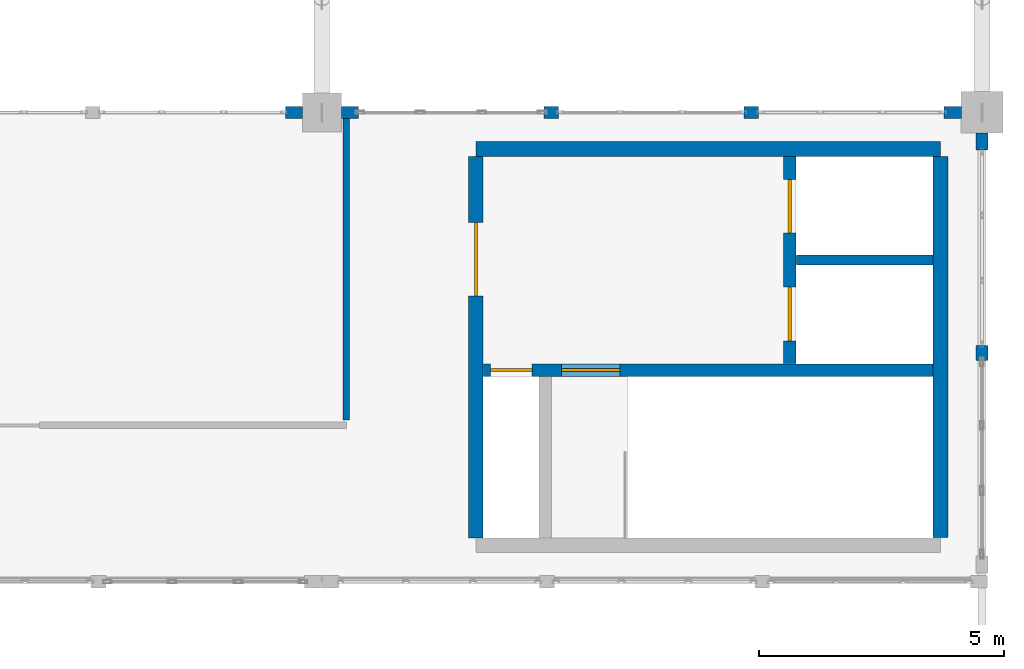
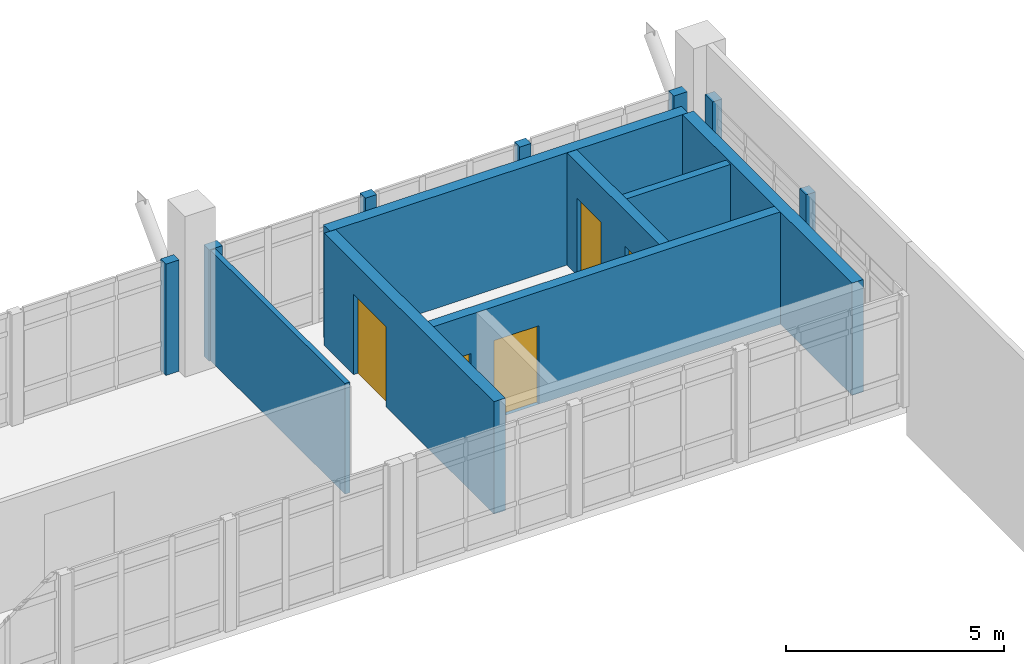
# One storey, part 36 of 37: 14 walls, 5 doors, 5 openings.
"""IFC4 building model written with IfcOpenShell, lengths in metres."""

import ifcopenshell
import ifcopenshell.guid

model = None  # the IFC model being written
_history = None  # IfcOwnerHistory: only IFC2X3 demands one
_inside = {}  # id of a spatial element -> (the spatial element, [elements in it])
_under = {}  # id of a project, library or spatial element -> (it, [spatial elements below it])
_declared = {}  # id of a project -> (the project, [libraries it declares])
_typed = {}  # id of a type object -> (the type object, [elements of that type])
_made_of = {}  # id of a material, layer set ... -> (it, [elements and type objects made of it])


def new_model(schema):
    """Start an empty IFC model of exactly this schema.

    Asked for "IFC4X3", IfcOpenShell would pick the latest addendum, in which some entities
    have other attributes; the version numbers below select the first issue.
    IFC2X3 requires an IfcOwnerHistory on every rooted entity: one is made here for all.
    """
    global model, _history
    if schema == "IFC4X3":
        model = ifcopenshell.file(schema_version=(4, 3, 0, 0))
    else:
        model = ifcopenshell.file(schema=schema)
    _inside.clear()
    _under.clear()
    _declared.clear()
    _typed.clear()
    _made_of.clear()
    _history = None
    if model.schema == "IFC2X3":
        org = make("IfcOrganization", Name="unknown")
        user = make(
            "IfcPersonAndOrganization",
            ThePerson=make("IfcPerson", FamilyName="unknown"),
            TheOrganization=org,
        )
        app = make(
            "IfcApplication",
            ApplicationDeveloper=org,
            Version="unknown",
            ApplicationFullName="unknown",
            ApplicationIdentifier="unknown",
        )
        _history = make(
            "IfcOwnerHistory",
            OwningUser=user,
            OwningApplication=app,
            ChangeAction="ADDED",
            CreationDate=0,
        )
    return model


def make(cls, **values):
    """One entity of the class cls with the attributes given. An attribute that is None is left unset."""
    return model.create_entity(
        cls, **{name: value for name, value in values.items() if value is not None}
    )


def rooted(cls, **values):
    """An entity with a GlobalId (a new one), such as an element, a storey or a relation."""
    return make(cls, GlobalId=ifcopenshell.guid.new(), OwnerHistory=_history, **values)


def si_unit(unit_type, name, prefix=None):
    """IfcSIUnit, for example si_unit("LENGTHUNIT", "METRE", prefix="MILLI")."""
    return make("IfcSIUnit", UnitType=unit_type, Prefix=prefix, Name=name)


def assignment(units):
    """IfcUnitAssignment: the units of a project."""
    return None if units is None else make("IfcUnitAssignment", Units=units)


def point(xyz):
    """IfcCartesianPoint."""
    return None if xyz is None else make("IfcCartesianPoint", Coordinates=xyz)


def direction(xyz):
    """IfcDirection."""
    return None if xyz is None else make("IfcDirection", DirectionRatios=xyz)


def frame(location, z_axis=None, x_axis=None):
    """IfcAxis2Placement3D, a coordinate frame: its origin and axes. An axis left out is left unset."""
    return make(
        "IfcAxis2Placement3D",
        Location=point(location),
        Axis=direction(z_axis),
        RefDirection=direction(x_axis),
    )


def frame_2d(location, x_axis=None):
    """IfcAxis2Placement2D, a coordinate frame in the plane: its origin and x axis."""
    return make(
        "IfcAxis2Placement2D", Location=point(location), RefDirection=direction(x_axis)
    )


def origin():
    """The frame at (0, 0, 0) with its axes left unset."""
    return frame((0.0, 0.0, 0.0))


def place(relative_to, where):
    """IfcLocalPlacement: puts the frame where relative to a parent placement (None: the world)."""
    return make(
        "IfcLocalPlacement", PlacementRelTo=relative_to, RelativePlacement=where
    )


def context(
    kind, dimensions, precision=None, world=None, true_north=None, identifier=None
):
    """IfcGeometricRepresentationContext, for example the 3D "Model" context."""
    return make(
        "IfcGeometricRepresentationContext",
        ContextIdentifier=identifier,
        ContextType=kind,
        CoordinateSpaceDimension=dimensions,
        Precision=precision,
        WorldCoordinateSystem=world,
        TrueNorth=true_north,
    )


def subcontext(parent, identifier, kind, view, scale=None):
    """IfcGeometricRepresentationSubContext, for example "Body" below "Model"."""
    return make(
        "IfcGeometricRepresentationSubContext",
        ContextIdentifier=identifier,
        ContextType=kind,
        ParentContext=parent,
        TargetScale=scale,
        TargetView=view,
    )


def project(units=None, contexts=None):
    """IfcProject with its units and contexts."""
    return rooted(
        "IfcProject",
        Name="project",
        RepresentationContexts=contexts,
        UnitsInContext=assignment(units),
    )


def spatial(cls, under=None, at=None, **own):
    """A site, building, storey or space (cls), placed at a placement, below another one or the project."""
    s = rooted(cls, ObjectPlacement=at, **own)
    if under is not None:
        _under.setdefault(under.id(), (under, []))[1].append(s)
    return s


def profile(cls, at=None, kind="AREA", **sizes):
    """A parametric profile (cls). Its sizes go by their IFC names, for example OverallWidth=200.0."""
    return make(cls, ProfileType=kind, Position=at, **sizes)


def rectangle(**sizes):
    """IfcRectangleProfileDef."""
    return profile("IfcRectangleProfileDef", **sizes)


def extrude(swept, where, along, depth):
    """IfcExtrudedAreaSolid: the profile swept, set in the frame where, extruded along a direction by depth."""
    return make(
        "IfcExtrudedAreaSolid",
        SweptArea=swept,
        Position=where,
        ExtrudedDirection=direction(along),
        Depth=depth,
    )


def shape(context_of_items, identifier, shape_type, items):
    """IfcShapeRepresentation: the items that make up one representation, for example the "Body"."""
    return make(
        "IfcShapeRepresentation",
        ContextOfItems=context_of_items,
        RepresentationIdentifier=identifier,
        RepresentationType=shape_type,
        Items=items,
    )


def material(Name=None, Category=None):
    """IfcMaterial."""
    return make("IfcMaterial", Name=Name, Category=Category)


def layer(
    of_material, thickness, ventilated=None, Name=None, Category=None, Priority=None
):
    """IfcMaterialLayer: one layer of a wall or slab, of a material (None: an air gap)."""
    return make(
        "IfcMaterialLayer",
        Material=of_material,
        LayerThickness=thickness,
        IsVentilated=ventilated,
        Name=Name,
        Category=Category,
        Priority=Priority,
    )


def layer_set(layers, Name=None):
    """IfcMaterialLayerSet."""
    return make("IfcMaterialLayerSet", MaterialLayers=layers, LayerSetName=Name)


def made_of(thing, what):
    """Note that an element or type object is made of a material, layer set ...; save() writes the relation."""
    if what is not None:
        _made_of.setdefault(what.id(), (what, []))[1].append(thing)
    return thing


def type_object(cls, material=None, **own):
    """A type object (cls), such as IfcWallType, which elements share."""
    return made_of(rooted(cls, **own), material)


def element(
    cls,
    number,
    at=None,
    inside=None,
    cuts=None,
    type_object=None,
    material=None,
    context=None,
    identifier="Body",
    shape_type=None,
    held_by="IfcProductDefinitionShape",
    body=None,
    shapes=None,
    **own,
):
    """One element of the class cls, such as IfcWall. Its Tag is "e" and its number.

    at: its placement. inside: the storey or other place that contains it. cuts: it is an
    opening in that element (IfcRelVoidsElement). A single representation is given by context,
    identifier, shape_type and body (its items); several are given by shapes. held_by: the class
    of the entity that holds the representations. save() writes the other relations.
    """
    e = rooted(cls, Tag="e%d" % number, ObjectPlacement=at, **own)
    if body is not None:
        shapes = [shape(context, identifier, shape_type, body)]
    if shapes is not None:
        e.Representation = make(held_by, Representations=shapes)
    if inside is not None:
        _inside.setdefault(inside.id(), (inside, []))[1].append(e)
    if cuts is not None:
        rooted(
            "IfcRelVoidsElement", RelatingBuildingElement=cuts, RelatedOpeningElement=e
        )
    if type_object is not None:
        _typed.setdefault(type_object.id(), (type_object, []))[1].append(e)
    return made_of(e, material)


def fill(opening, filler):
    """IfcRelFillsElement: the door or window that sits in an opening."""
    return rooted(
        "IfcRelFillsElement",
        RelatingOpeningElement=opening,
        RelatedBuildingElement=filler,
    )


def aggregate(whole, parts):
    """IfcRelAggregates: a whole, such as a stair, and the parts it consists of."""
    return rooted("IfcRelAggregates", RelatingObject=whole, RelatedObjects=parts)


def save(model, path):
    """Write the relations noted so far, then the file.

    IfcRelAggregates (storeys below a building ...), IfcRelContainedInSpatialStructure (elements
    in a storey), IfcRelDefinesByType, IfcRelAssociatesMaterial and IfcRelDeclares: one each for
    every whole, place, type object, material and project.
    """
    for whole, parts in _under.values():
        aggregate(whole, parts)
    for where, things in _inside.values():
        rooted(
            "IfcRelContainedInSpatialStructure",
            RelatedElements=things,
            RelatingStructure=where,
        )
    for kind, things in _typed.values():
        rooted("IfcRelDefinesByType", RelatedObjects=things, RelatingType=kind)
    for what, things in _made_of.values():
        rooted("IfcRelAssociatesMaterial", RelatedObjects=things, RelatingMaterial=what)
    for by, libraries in _declared.values():
        rooted("IfcRelDeclares", RelatingContext=by, RelatedDefinitions=libraries)
    model.write(path)


model = new_model("IFC4")

# Units and contexts
model_context = context("Model", 3, precision=1e-05, world=origin(), true_north=direction((0.0, 1.0)))
body_context = subcontext(model_context, "Body", "Model", "MODEL_VIEW")
ifc_project = project(units=[si_unit("LENGTHUNIT", "METRE"), si_unit("AREAUNIT", "SQUARE_METRE"), si_unit("VOLUMEUNIT", "CUBIC_METRE"), si_unit("PLANEANGLEUNIT", "RADIAN"), si_unit("MASSUNIT", "GRAM", prefix="KILO")], contexts=[model_context])

# Site, building, storey
site_placement = place(None, origin())
site = spatial("IfcSite", under=ifc_project, at=site_placement, CompositionType="ELEMENT")
building_placement = place(site_placement, origin())
building = spatial("IfcBuilding", under=site, at=building_placement, Name="Fikremerkos Civic Library", CompositionType="ELEMENT")
storey_placement = place(building_placement, frame((0.0, 0.0, 23.39990234375)))
storey = spatial("IfcBuildingStorey", under=building, at=storey_placement, Name="L05", CompositionType="ELEMENT", Elevation=23.39990234375)

# Wall
ifc_material_1 = material(Name="Concrete C40/50", Category="concrete")
ifc_layer_1 = layer(ifc_material_1, 0.300048828125, Name="Concrete C40/50")
ifc_layer_set_1 = layer_set([ifc_layer_1], Name="Concrete C40/50")
wall_type_1 = type_object("IfcWallType", Name="Core shear wall CSW-01 300", PredefinedType="SHEAR", material=ifc_layer_set_1)
wall_1_placement = place(storey_placement, frame((103.35009765625, 30.449951171875, 0.0), z_axis=(0.0, 0.0, 1.0), x_axis=(1.0, 0.0, 0.0)))
element("IfcWall", 1, at=wall_1_placement, inside=storey, type_object=wall_type_1, Name="Core K2 north shear wall L05", PredefinedType="SHEAR", context=body_context, shape_type="SweptSolid", body=[
    extrude(rectangle(XDim=9.5, YDim=0.300048828125, at=frame_2d((4.75, 0.0))), origin(), (0.0, 0.0, 1.0), 3.150146484375),
])

# Wall, opening, door
wall_2_placement = place(storey_placement, frame((103.35009765625, 22.501953125, 0.0), z_axis=(0.0, 0.0, 1.0), x_axis=(0.0, 1.0, 0.0)))
wall_2 = element("IfcWall", 2, at=wall_2_placement, inside=storey, type_object=wall_type_1, Name="Core K2 west shear wall L05", PredefinedType="SHEAR", context=body_context, shape_type="SweptSolid", body=[
    extrude(rectangle(XDim=7.796142578125, YDim=0.300048828125, at=frame_2d((3.89794921875, 0.0))), origin(), (0.0, 0.0, 1.0), 3.150146484375),
])
opening_1_placement = place(wall_2_placement, frame((4.947998046875, 0.0, 0.0)))
opening_1 = element("IfcOpeningElement", 3, at=opening_1_placement, cuts=wall_2, Name="Opening D074", PredefinedType="OPENING", context=body_context, shape_type="SweptSolid", body=[
    extrude(rectangle(XDim=1.5, YDim=2.25, at=frame_2d((0.75, 1.125))), frame((0.0, 0.159912109375, 0.0), z_axis=(0.0, -1.0, 0.0), x_axis=(1.0, 0.0, 0.0)), (0.0, 0.0, 1.0), 0.320068359375),
])
ifc_material_2 = material(Name="Hardwood timber and acoustic glass", Category="wood")
door_type_1 = type_object("IfcDoorType", Name="Pedestrian door DT-05 1500x2250", OperationType="NOTDEFINED", PredefinedType="DOOR", material=ifc_material_2)
door_1_placement = place(opening_1_placement, origin())
door_1 = element("IfcDoor", 4, at=door_1_placement, inside=storey, type_object=door_type_1, Name="Core K2 lobby fire door D074 L05", OperationType="SINGLE_SWING_RIGHT", OverallHeight=2.25, OverallWidth=1.5, PredefinedType="DOOR", context=body_context, shape_type="SweptSolid", body=[
    extrude(rectangle(XDim=1.5, YDim=2.25, at=frame_2d((0.75, 1.125))), frame((0.0, 0.032470703125, 0.0), z_axis=(0.0, -1.0, 0.0), x_axis=(1.0, 0.0, 0.0)), (0.0, 0.0, 1.0), 0.06494140625),
])
fill(opening_1, door_1)

# Wall
wall_3_placement = place(storey_placement, frame((112.85009765625, 30.298095703125, 0.0), z_axis=(0.0, 0.0, 1.0), x_axis=(0.0, -1.0, 0.0)))
element("IfcWall", 5, at=wall_3_placement, inside=storey, type_object=wall_type_1, Name="Core K2 east shear wall L05", PredefinedType="SHEAR", context=body_context, shape_type="SweptSolid", body=[
    extrude(rectangle(XDim=7.796142578125, YDim=0.300048828125, at=frame_2d((3.89794921875, 0.0))), origin(), (0.0, 0.0, 1.0), 3.150146484375),
])

# Wall, openings, doors
ifc_layer_2 = layer(ifc_material_1, 0.260009765625, Name="Concrete C40/50")
ifc_layer_set_2 = layer_set([ifc_layer_2], Name="Concrete C40/50")
wall_type_2 = type_object("IfcWallType", Name="Core shear wall CSW-02 260", PredefinedType="SHEAR", material=ifc_layer_set_2)
wall_4_placement = place(storey_placement, frame((103.501953125, 25.929931640625, 0.0), z_axis=(0.0, 0.0, 1.0), x_axis=(1.0, 0.0, 0.0)))
wall_4 = element("IfcWall", 6, at=wall_4_placement, inside=storey, type_object=wall_type_2, Name="Core K2 stair compartment wall L05", PredefinedType="SHEAR", context=body_context, shape_type="SweptSolid", body=[
    extrude(rectangle(XDim=9.196044921875, YDim=0.260009765625, at=frame_2d((4.59814453125, 0.0))), origin(), (0.0, 0.0, 1.0), 3.150146484375),
])
opening_2_placement = place(wall_4_placement, frame((1.597900390625, 0.0, 0.0)))
opening_2 = element("IfcOpeningElement", 7, at=opening_2_placement, cuts=wall_4, Name="Opening D075", PredefinedType="OPENING", context=body_context, shape_type="SweptSolid", body=[
    extrude(rectangle(XDim=1.199951171875, YDim=2.199951171875, at=frame_2d((0.60009765625, 1.10009765625))), frame((0.0, 0.139892578125, 0.0), z_axis=(0.0, -1.0, 0.0), x_axis=(1.0, 0.0, 0.0)), (0.0, 0.0, 1.0), 0.280029296875),
])
opening_3_placement = place(wall_4_placement, frame((0.14306640625, 0.0, 0.0)))
opening_3 = element("IfcOpeningElement", 8, at=opening_3_placement, cuts=wall_4, Name="Opening D076", PredefinedType="OPENING", context=body_context, shape_type="SweptSolid", body=[
    extrude(rectangle(XDim=0.85009765625, YDim=2.050048828125, at=frame_2d((0.425048828125, 1.02490234375))), frame((0.0, 0.139892578125, 0.0), z_axis=(0.0, -1.0, 0.0), x_axis=(1.0, 0.0, 0.0)), (0.0, 0.0, 1.0), 0.280029296875),
])
door_type_2 = type_object("IfcDoorType", Name="Pedestrian door DT-06 1200x2200", OperationType="NOTDEFINED", PredefinedType="DOOR", material=ifc_material_2)
door_2_placement = place(opening_2_placement, origin())
door_2 = element("IfcDoor", 9, at=door_2_placement, inside=storey, type_object=door_type_2, Name="Core K2 stair fire door D075 L05", OperationType="SINGLE_SWING_LEFT", OverallHeight=2.199951171875, OverallWidth=1.199951171875, PredefinedType="DOOR", context=body_context, shape_type="SweptSolid", body=[
    extrude(rectangle(XDim=1.199951171875, YDim=2.199951171875, at=frame_2d((0.60009765625, 1.10009765625))), frame((0.0, 0.032470703125, 0.0), z_axis=(0.0, -1.0, 0.0), x_axis=(1.0, 0.0, 0.0)), (0.0, 0.0, 1.0), 0.06494140625),
])
fill(opening_2, door_2)
door_type_3 = type_object("IfcDoorType", Name="Pedestrian door DT-08 850x2050", OperationType="NOTDEFINED", PredefinedType="DOOR", material=ifc_material_2)
door_3_placement = place(opening_3_placement, origin())
door_3 = element("IfcDoor", 10, at=door_3_placement, inside=storey, type_object=door_type_3, Name="Core K2 riser access fire door D076 L05", OperationType="SINGLE_SWING_LEFT", OverallHeight=2.050048828125, OverallWidth=0.85009765625, PredefinedType="DOOR", context=body_context, shape_type="SweptSolid", body=[
    extrude(rectangle(XDim=0.85009765625, YDim=2.050048828125, at=frame_2d((0.425048828125, 1.02490234375))), frame((0.0, 0.032470703125, 0.0), z_axis=(0.0, -1.0, 0.0), x_axis=(1.0, 0.0, 0.0)), (0.0, 0.0, 1.0), 0.06494140625),
])
fill(opening_3, door_3)

wall_5_placement = place(storey_placement, frame((109.77001953125, 26.06201171875, 0.0), z_axis=(0.0, 0.0, 1.0), x_axis=(0.0, 1.0, 0.0)))
wall_5 = element("IfcWall", 11, at=wall_5_placement, inside=storey, type_object=wall_type_2, Name="Core K2 lift shaft front wall L05", PredefinedType="SHEAR", context=body_context, shape_type="SweptSolid", body=[
    extrude(rectangle(XDim=4.236083984375, YDim=0.260009765625, at=frame_2d((2.1181640625, 0.0))), origin(), (0.0, 0.0, 1.0), 3.150146484375),
])
opening_4_placement = place(wall_5_placement, frame((0.468017578125, 0.0, 0.0)))
opening_4 = element("IfcOpeningElement", 12, at=opening_4_placement, cuts=wall_5, Name="Opening LD31", PredefinedType="OPENING", context=body_context, shape_type="SweptSolid", body=[
    extrude(rectangle(XDim=1.10009765625, YDim=2.14990234375, at=frame_2d((0.550048828125, 1.074951171875))), frame((0.0, 0.139892578125, 0.0), z_axis=(0.0, -1.0, 0.0), x_axis=(1.0, 0.0, 0.0)), (0.0, 0.0, 1.0), 0.280029296875),
])
opening_5_placement = place(wall_5_placement, frame((2.66796875, 0.0, 0.0)))
opening_5 = element("IfcOpeningElement", 13, at=opening_5_placement, cuts=wall_5, Name="Opening LD32", PredefinedType="OPENING", context=body_context, shape_type="SweptSolid", body=[
    extrude(rectangle(XDim=1.10009765625, YDim=2.14990234375, at=frame_2d((0.550048828125, 1.074951171875))), frame((0.0, 0.139892578125, 0.0), z_axis=(0.0, -1.0, 0.0), x_axis=(1.0, 0.0, 0.0)), (0.0, 0.0, 1.0), 0.280029296875),
])
ifc_material_3 = material(Name="Brushed stainless steel", Category="steel")
door_type_4 = type_object("IfcDoorType", Name="Lift landing door LDT-01 1100x2150", OperationType="NOTDEFINED", PredefinedType="DOOR", material=ifc_material_3)
door_4_placement = place(opening_4_placement, origin())
door_4 = element("IfcDoor", 14, at=door_4_placement, inside=storey, type_object=door_type_4, Name="Lift LF03 sliding landing door LD31 L05", OperationType="SLIDING_TO_LEFT", OverallHeight=2.14990234375, OverallWidth=1.10009765625, PredefinedType="DOOR", context=body_context, shape_type="SweptSolid", body=[
    extrude(rectangle(XDim=1.10009765625, YDim=2.14990234375, at=frame_2d((0.550048828125, 1.074951171875))), frame((0.0, 0.032470703125, 0.0), z_axis=(0.0, -1.0, 0.0), x_axis=(1.0, 0.0, 0.0)), (0.0, 0.0, 1.0), 0.06494140625),
])
fill(opening_4, door_4)
door_5_placement = place(opening_5_placement, origin())
door_5 = element("IfcDoor", 15, at=door_5_placement, inside=storey, type_object=door_type_4, Name="Lift LF04 sliding landing door LD32 L05", OperationType="SLIDING_TO_LEFT", OverallHeight=2.14990234375, OverallWidth=1.10009765625, PredefinedType="DOOR", context=body_context, shape_type="SweptSolid", body=[
    extrude(rectangle(XDim=1.10009765625, YDim=2.14990234375, at=frame_2d((0.550048828125, 1.074951171875))), frame((0.0, 0.032470703125, 0.0), z_axis=(0.0, -1.0, 0.0), x_axis=(1.0, 0.0, 0.0)), (0.0, 0.0, 1.0), 0.06494140625),
])
fill(opening_5, door_5)

# Walls
ifc_material_4 = material(Name="Precast concrete C40/50", Category="concrete")
ifc_layer_3 = layer(ifc_material_4, 0.25, Name="Precast concrete C40/50")
ifc_layer_set_3 = layer_set([ifc_layer_3], Name="Precast concrete C40/50")
wall_type_3 = type_object("IfcWallType", Name="Exterior solid wall ESW-05 250", PredefinedType="SOLIDWALL", material=ifc_layer_set_3)
for number, where, z_axis, x_axis, name in (
    (16, (99.451904296875, 31.199951171875, 0.0), (0.0, 0.0, 1.0), (1.0, 0.0, 0.0), "Exterior facade pier ESW-05 #698"),
    (17, (100.597900390625, 31.199951171875, 0.0), (0.0, 0.0, 1.0), (1.0, 0.0, 0.0), "Exterior facade pier ESW-05 #701"),
    (18, (112.927001953125, 31.199951171875, 0.0), (0.0, 0.0, 1.0), (1.0, 0.0, 0.0), "Exterior facade pier ESW-05 #702"),
):
    element("IfcWall", number, at=place(storey_placement, frame(where, z_axis=z_axis, x_axis=x_axis)), inside=storey, type_object=wall_type_3, Name=name, PredefinedType="SOLIDWALL", context=body_context, shape_type="SweptSolid", body=[
        extrude(rectangle(XDim=0.35009765625, YDim=0.25, at=frame_2d((0.175048828125, 0.0))), origin(), (0.0, 0.0, 1.0), 3.1201171875),
    ])
for number, where, z_axis, x_axis, name in (
    (19, (104.740966796875, 31.199951171875, 0.0), (0.0, 0.0, 1.0), (1.0, 0.0, 0.0), "Exterior facade mullion pier ESW-05 #703"),
    (20, (108.833984375, 31.199951171875, 0.0), (0.0, 0.0, 1.0), (1.0, 0.0, 0.0), "Exterior facade mullion pier ESW-05 #704"),
):
    element("IfcWall", number, at=place(storey_placement, frame(where, z_axis=z_axis, x_axis=x_axis)), inside=storey, type_object=wall_type_3, Name=name, PredefinedType="SOLIDWALL", context=body_context, shape_type="SweptSolid", body=[
        extrude(rectangle(XDim=0.300048828125, YDim=0.25, at=frame_2d((0.14990234375, 0.0))), origin(), (0.0, 0.0, 1.0), 3.1201171875),
    ])
wall_6_placement = place(storey_placement, frame((113.699951171875, 30.777099609375, 0.0), z_axis=(0.0, 0.0, 1.0), x_axis=(0.0, -1.0, 0.0)))
element("IfcWall", 21, at=wall_6_placement, inside=storey, type_object=wall_type_3, Name="Exterior facade pier ESW-05 #705", PredefinedType="SOLIDWALL", context=body_context, shape_type="SweptSolid", body=[
    extrude(rectangle(XDim=0.35009765625, YDim=0.25, at=frame_2d((0.175048828125, 0.0))), origin(), (0.0, 0.0, 1.0), 3.1201171875),
])
wall_7_placement = place(storey_placement, frame((113.699951171875, 26.428466796875, 0.0), z_axis=(0.0, 0.0, 1.0), x_axis=(0.0, -1.0, 0.0)))
element("IfcWall", 22, at=wall_7_placement, inside=storey, type_object=wall_type_3, Name="Exterior facade mullion pier ESW-05 #707", PredefinedType="SOLIDWALL", context=body_context, shape_type="SweptSolid", body=[
    extrude(rectangle(XDim=0.300048828125, YDim=0.25, at=frame_2d((0.14990234375, 0.0))), origin(), (0.0, 0.0, 1.0), 3.1201171875),
])
ifc_material_5 = material(Name="Gypsum metal stud partition")
ifc_layer_4 = layer(ifc_material_5, 0.1298828125, Name="Gypsum metal stud partition")
ifc_layer_set_4 = layer_set([ifc_layer_4], Name="Gypsum metal stud partition")
wall_type_4 = type_object("IfcWallType", Name="Interior partition wall IPW-03 130", PredefinedType="PARTITIONING", material=ifc_layer_set_4)
wall_8_placement = place(storey_placement, frame((100.699951171875, 24.905029296875, 0.0), z_axis=(0.0, 0.0, 1.0), x_axis=(0.0, 1.0, 0.0)))
element("IfcWall", 23, at=wall_8_placement, inside=storey, type_object=wall_type_4, Name="Interior wall IPW-03 L05 #262", PredefinedType="PARTITIONING", context=body_context, shape_type="SweptSolid", body=[
    extrude(rectangle(XDim=6.166015625, YDim=0.1298828125, at=frame_2d((3.0830078125, 0.0))), origin(), (0.0, 0.0, 1.0), 3.10009765625),
])
ifc_material_6 = material(Name="Concrete C35/45", Category="concrete")
ifc_layer_5 = layer(ifc_material_6, 0.199951171875, Name="Concrete C35/45")
ifc_layer_set_5 = layer_set([ifc_layer_5], Name="Concrete C35/45")
wall_type_5 = type_object("IfcWallType", Name="Service duct wall SDW-01 200", PredefinedType="PLUMBINGWALL", material=ifc_layer_set_5)
wall_9_placement = place(storey_placement, frame((109.902099609375, 28.179931640625, 0.0), z_axis=(0.0, 0.0, 1.0), x_axis=(1.0, 0.0, 0.0)))
element("IfcWall", 24, at=wall_9_placement, inside=storey, type_object=wall_type_5, Name="Core K2 inter-lift shaft wall L05", PredefinedType="PLUMBINGWALL", context=body_context, shape_type="SweptSolid", body=[
    extrude(rectangle(XDim=2.7958984375, YDim=0.199951171875, at=frame_2d((1.39794921875, 0.0))), origin(), (0.0, 0.0, 1.0), 3.10009765625),
])

save(model, "model.ifc")
